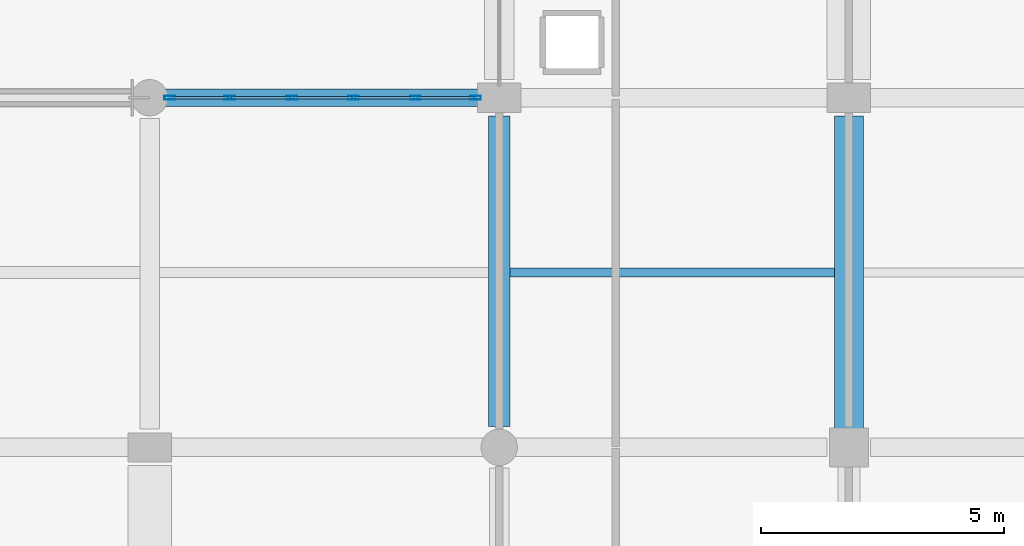
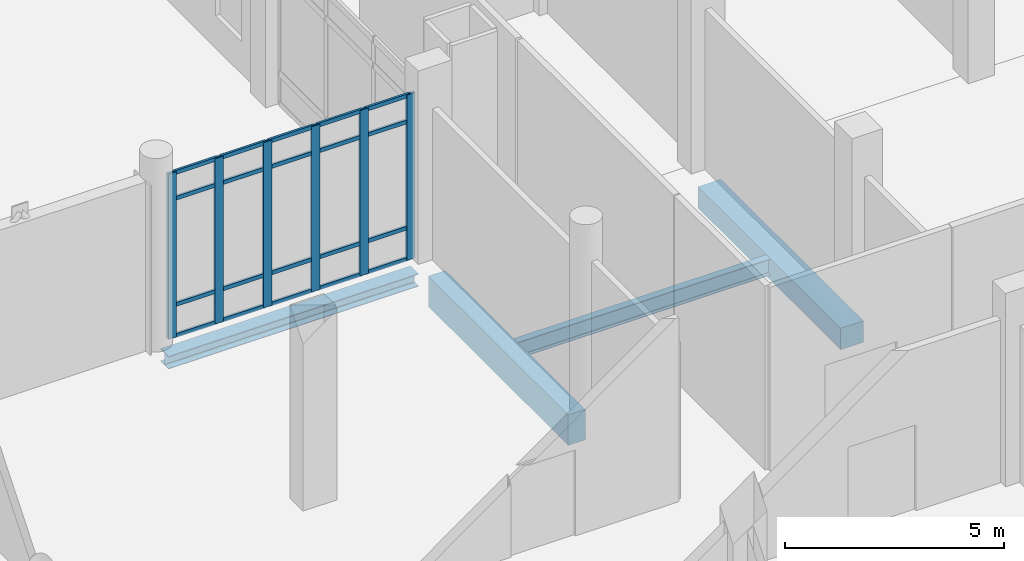
# One storey, part 132 of 229: 26 members, 4 beams, 1 element without a shape of its own.
"""IFC4 building model written with IfcOpenShell, lengths in metres."""

from ifc_helpers import new_model, si_unit, direction, frame, origin, origin_2d, place, context, subcontext, project, spatial, rectangle, hollow_rectangle, i_section, extrude, material, layer, layer_set, material_profile, profile_set, type_object, element, aggregate, save


model = new_model("IFC4")

# Units and contexts
model_context = context("Model", 3, precision=1e-05, world=origin(), true_north=direction((0.0, 1.0)))
body_context = subcontext(model_context, "Body", "Model", "MODEL_VIEW")
ifc_project = project(units=[si_unit("LENGTHUNIT", "METRE"), si_unit("AREAUNIT", "SQUARE_METRE"), si_unit("VOLUMEUNIT", "CUBIC_METRE"), si_unit("PLANEANGLEUNIT", "RADIAN"), si_unit("MASSUNIT", "GRAM", prefix="KILO")], contexts=[model_context])

# Site, building, storey
site_placement = place(None, origin())
site = spatial("IfcSite", under=ifc_project, at=site_placement, CompositionType="ELEMENT")
building_placement = place(site_placement, origin())
building = spatial("IfcBuilding", under=site, at=building_placement, Name="Calvrana Isthmian Art Gallery", CompositionType="ELEMENT")
storey_placement = place(building_placement, origin())
storey = spatial("IfcBuildingStorey", under=building, at=storey_placement, Name="L00", CompositionType="ELEMENT", Elevation=0.0)

# Beams
ifc_material_1 = material(Name="Steel ASTM A992 Gr 50", Category="steel")
ifc_material_profile_1 = material_profile(ifc_material_1, i_section(OverallWidth=0.19091796875, OverallDepth=0.45703125, WebThickness=0.009033203125, FlangeThickness=0.014404296875, FilletRadius=0.02001953125, at=origin_2d()), Name="W18X50")
ifc_profile_set_1 = profile_set([ifc_material_profile_1], Name="Steel ASTM A992 Gr 50")
beam_type_1 = type_object("IfcBeamType", Name="BM-J-W18X50", PredefinedType="JOIST", material=ifc_profile_set_1)
beam_1_placement = place(storey_placement, frame((134.625, 94.800048828125, -0.58349609375), z_axis=(1.0, 0.0, 0.0), x_axis=(0.0, 1.0, 0.0)))
element("IfcBeam", 1, at=beam_1_placement, inside=storey, type_object=beam_type_1, Name="Composite joist L00 bay 17-12", PredefinedType="JOIST", context=body_context, shape_type="SweptSolid", body=[
    extrude(i_section(OverallWidth=0.19091796875, OverallDepth=0.45703125, WebThickness=0.009033203125, FlangeThickness=0.014404296875, FilletRadius=0.02001953125, at=origin_2d()), origin(), (0.0, 0.0, 1.0), 6.675048828125),
])
ifc_material_2 = material(Name="Concrete C40/50", Category="concrete")
ifc_material_profile_2 = material_profile(ifc_material_2, rectangle(XDim=0.449951171875, YDim=0.85009765625, at=origin_2d()), Name="RC450X850")
ifc_profile_set_2 = profile_set([ifc_material_profile_2], Name="Concrete C40/50")
beam_type_2 = type_object("IfcBeamType", Name="BM-RC-450X850", PredefinedType="BEAM", material=ifc_profile_set_2)
beam_2_placement = place(storey_placement, frame((134.39990234375, 91.625, -0.780029296875), z_axis=(0.0, 1.0, 0.0), x_axis=(-1.0, 0.0, 0.0)))
element("IfcBeam", 2, at=beam_2_placement, inside=storey, type_object=beam_type_2, Name="Girder Y L00 18/M-N", PredefinedType="BEAM", context=body_context, shape_type="SweptSolid", body=[
    extrude(rectangle(XDim=0.449951171875, YDim=0.85009765625, at=origin_2d()), origin(), (0.0, 0.0, 1.0), 6.39990234375),
])
ifc_material_profile_3 = material_profile(ifc_material_2, rectangle(XDim=0.60009765625, YDim=0.60009765625, at=origin_2d()), Name="RC600X600")
ifc_profile_set_3 = profile_set([ifc_material_profile_3], Name="Concrete C40/50")
beam_type_3 = type_object("IfcBeamType", Name="BM-RC-600X600", PredefinedType="BEAM", material=ifc_profile_set_3)
beam_3_placement = place(storey_placement, frame((141.60009765625, 91.5, -0.655029296875), z_axis=(0.0, 1.0, 0.0), x_axis=(-1.0, 0.0, 0.0)))
element("IfcBeam", 3, at=beam_3_placement, inside=storey, type_object=beam_type_3, Name="Girder Y L00 19/M-N", PredefinedType="BEAM", context=body_context, shape_type="SweptSolid", body=[
    extrude(rectangle(XDim=0.60009765625, YDim=0.60009765625, at=origin_2d()), origin(), (0.0, 0.0, 1.0), 6.52490234375),
])
ifc_material_profile_4 = material_profile(ifc_material_1, i_section(OverallWidth=0.367919921875, OverallDepth=0.35595703125, WebThickness=0.01123046875, FlangeThickness=0.01806640625, FilletRadius=0.02490234375, at=origin_2d()), Name="W14X90")
ifc_profile_set_4 = profile_set([ifc_material_profile_4], Name="Steel ASTM A992 Gr 50")
beam_type_4 = type_object("IfcBeamType", Name="BM-SP-W14X90", PredefinedType="SPANDREL", material=ifc_profile_set_4)
beam_4_placement = place(storey_placement, frame((127.425048828125, 98.39990234375, -0.532958984375), z_axis=(1.0, 0.0, 0.0), x_axis=(0.0, 1.0, 0.0)))
element("IfcBeam", 4, at=beam_4_placement, inside=storey, type_object=beam_type_4, Name="Girder X L00 17-18/N", PredefinedType="SPANDREL", context=body_context, shape_type="SweptSolid", body=[
    extrude(i_section(OverallWidth=0.367919921875, OverallDepth=0.35595703125, WebThickness=0.01123046875, FlangeThickness=0.01806640625, FilletRadius=0.02490234375, at=origin_2d()), origin(), (0.0, 0.0, 1.0), 6.599853515625),
])

# Curtain wall, members
ifc_material_3 = material(Name="Anodized bronze aluminium 6063-T6", Category="aluminium")
ifc_layer = layer(ifc_material_3, 0.179931640625, Name="Anodized bronze aluminium 6063-T6")
ifc_layer_set = layer_set([ifc_layer], Name="Anodized bronze aluminium 6063-T6")
curtain_wall_type = type_object("IfcCurtainWallType", Name="CW-UNIT-064X46", PredefinedType="USERDEFINED", material=ifc_layer_set)
curtain_wall_placement = place(storey_placement, origin())
curtain_wall = element("IfcCurtainWall", 5, at=curtain_wall_placement, inside=storey, type_object=curtain_wall_type, Name="Curtain wall CW-040", ObjectType="UNITISED CURTAIN WALL", PredefinedType="USERDEFINED")
ifc_material_profile_5 = material_profile(ifc_material_3, hollow_rectangle(XDim=0.074951171875, YDim=0.219970703125, WallThickness=0.0048828125, at=origin_2d()), Name="CWM75X220")
ifc_profile_set_5 = profile_set([ifc_material_profile_5], Name="Anodized bronze aluminium 6063-T6")
member_type_1 = type_object("IfcMemberType", Name="CWM-CWM75X220", PredefinedType="MULLION", material=ifc_profile_set_5)
member_1_placement = place(storey_placement, frame((127.612548828125, 98.39990234375, 0.0), z_axis=(0.0, 0.0, 1.0), x_axis=(0.0, 1.0, 0.0)))
member_1 = element("IfcMember", 6, at=member_1_placement, type_object=member_type_1, Name="CW-040 mullion 1", PredefinedType="MULLION", context=body_context, shape_type="SweptSolid", body=[
    extrude(hollow_rectangle(XDim=0.074951171875, YDim=0.219970703125, WallThickness=0.0048828125, at=origin_2d()), origin(), (0.0, 0.0, 1.0), 4.617919921875),
])
member_2_placement = place(storey_placement, frame((128.85009765625, 98.39990234375, 0.0), z_axis=(0.0, 0.0, 1.0), x_axis=(0.0, 1.0, 0.0)))
member_2 = element("IfcMember", 7, at=member_2_placement, type_object=member_type_1, Name="CW-040 mullion 2", PredefinedType="MULLION", context=body_context, shape_type="SweptSolid", body=[
    extrude(hollow_rectangle(XDim=0.074951171875, YDim=0.219970703125, WallThickness=0.0048828125, at=origin_2d()), origin(), (0.0, 0.0, 1.0), 4.617919921875),
])
member_3_placement = place(storey_placement, frame((130.125, 98.39990234375, 0.0), z_axis=(0.0, 0.0, 1.0), x_axis=(0.0, 1.0, 0.0)))
member_3 = element("IfcMember", 8, at=member_3_placement, type_object=member_type_1, Name="CW-040 mullion 3", PredefinedType="MULLION", context=body_context, shape_type="SweptSolid", body=[
    extrude(hollow_rectangle(XDim=0.074951171875, YDim=0.219970703125, WallThickness=0.0048828125, at=origin_2d()), origin(), (0.0, 0.0, 1.0), 4.617919921875),
])
member_4_placement = place(storey_placement, frame((131.39990234375, 98.39990234375, 0.0), z_axis=(0.0, 0.0, 1.0), x_axis=(0.0, 1.0, 0.0)))
member_4 = element("IfcMember", 9, at=member_4_placement, type_object=member_type_1, Name="CW-040 mullion 4", PredefinedType="MULLION", context=body_context, shape_type="SweptSolid", body=[
    extrude(hollow_rectangle(XDim=0.074951171875, YDim=0.219970703125, WallThickness=0.0048828125, at=origin_2d()), origin(), (0.0, 0.0, 1.0), 4.617919921875),
])
member_5_placement = place(storey_placement, frame((132.675048828125, 98.39990234375, 0.0), z_axis=(0.0, 0.0, 1.0), x_axis=(0.0, 1.0, 0.0)))
member_5 = element("IfcMember", 10, at=member_5_placement, type_object=member_type_1, Name="CW-040 mullion 5", PredefinedType="MULLION", context=body_context, shape_type="SweptSolid", body=[
    extrude(hollow_rectangle(XDim=0.074951171875, YDim=0.219970703125, WallThickness=0.0048828125, at=origin_2d()), origin(), (0.0, 0.0, 1.0), 4.617919921875),
])
member_6_placement = place(storey_placement, frame((133.91259765625, 98.39990234375, 0.0), z_axis=(0.0, 0.0, 1.0), x_axis=(0.0, 1.0, 0.0)))
member_6 = element("IfcMember", 11, at=member_6_placement, type_object=member_type_1, Name="CW-040 mullion 6", PredefinedType="MULLION", context=body_context, shape_type="SweptSolid", body=[
    extrude(hollow_rectangle(XDim=0.074951171875, YDim=0.219970703125, WallThickness=0.0048828125, at=origin_2d()), origin(), (0.0, 0.0, 1.0), 4.617919921875),
])
ifc_material_profile_6 = material_profile(ifc_material_3, hollow_rectangle(XDim=0.06005859375, YDim=0.110107421875, WallThickness=0.00341796875, at=origin_2d()), Name="CWT60X110")
ifc_profile_set_6 = profile_set([ifc_material_profile_6], Name="Anodized bronze aluminium 6063-T6")
member_type_2 = type_object("IfcMemberType", Name="CWT-CWT60X110", PredefinedType="USERDEFINED", material=ifc_profile_set_6)
member_7_placement = place(storey_placement, frame((127.64990234375, 98.39990234375, 0.030029296875), z_axis=(1.0, 0.0, 0.0), x_axis=(0.0, 1.0, 0.0)))
member_7 = element("IfcMember", 12, at=member_7_placement, type_object=member_type_2, Name="CW-040 transom 1.1", ObjectType="TRANSOM", PredefinedType="USERDEFINED", context=body_context, shape_type="SweptSolid", body=[
    extrude(hollow_rectangle(XDim=0.06005859375, YDim=0.110107421875, WallThickness=0.00341796875, at=origin_2d()), origin(), (0.0, 0.0, 1.0), 1.16259765625),
])
member_8_placement = place(storey_placement, frame((127.64990234375, 98.39990234375, 0.89990234375), z_axis=(1.0, 0.0, 0.0), x_axis=(0.0, 1.0, 0.0)))
member_8 = element("IfcMember", 13, at=member_8_placement, type_object=member_type_2, Name="CW-040 transom 1.2", ObjectType="TRANSOM", PredefinedType="USERDEFINED", context=body_context, shape_type="SweptSolid", body=[
    extrude(hollow_rectangle(XDim=0.06005859375, YDim=0.110107421875, WallThickness=0.00341796875, at=origin_2d()), origin(), (0.0, 0.0, 1.0), 1.16259765625),
])
member_9_placement = place(storey_placement, frame((127.64990234375, 98.39990234375, 3.867919921875), z_axis=(1.0, 0.0, 0.0), x_axis=(0.0, 1.0, 0.0)))
member_9 = element("IfcMember", 14, at=member_9_placement, type_object=member_type_2, Name="CW-040 transom 1.3", ObjectType="TRANSOM", PredefinedType="USERDEFINED", context=body_context, shape_type="SweptSolid", body=[
    extrude(hollow_rectangle(XDim=0.06005859375, YDim=0.110107421875, WallThickness=0.00341796875, at=origin_2d()), origin(), (0.0, 0.0, 1.0), 1.16259765625),
])
member_10_placement = place(storey_placement, frame((127.64990234375, 98.39990234375, 4.587890625), z_axis=(1.0, 0.0, 0.0), x_axis=(0.0, 1.0, 0.0)))
member_10 = element("IfcMember", 15, at=member_10_placement, type_object=member_type_2, Name="CW-040 transom 1.4", ObjectType="TRANSOM", PredefinedType="USERDEFINED", context=body_context, shape_type="SweptSolid", body=[
    extrude(hollow_rectangle(XDim=0.06005859375, YDim=0.110107421875, WallThickness=0.00341796875, at=origin_2d()), origin(), (0.0, 0.0, 1.0), 1.16259765625),
])
member_11_placement = place(storey_placement, frame((128.887451171875, 98.39990234375, 0.030029296875), z_axis=(1.0, 0.0, 0.0), x_axis=(0.0, 1.0, 0.0)))
member_11 = element("IfcMember", 16, at=member_11_placement, type_object=member_type_2, Name="CW-040 transom 2.1", ObjectType="TRANSOM", PredefinedType="USERDEFINED", context=body_context, shape_type="SweptSolid", body=[
    extrude(hollow_rectangle(XDim=0.06005859375, YDim=0.110107421875, WallThickness=0.00341796875, at=origin_2d()), origin(), (0.0, 0.0, 1.0), 1.199951171875),
])
member_12_placement = place(storey_placement, frame((128.887451171875, 98.39990234375, 0.89990234375), z_axis=(1.0, 0.0, 0.0), x_axis=(0.0, 1.0, 0.0)))
member_12 = element("IfcMember", 17, at=member_12_placement, type_object=member_type_2, Name="CW-040 transom 2.2", ObjectType="TRANSOM", PredefinedType="USERDEFINED", context=body_context, shape_type="SweptSolid", body=[
    extrude(hollow_rectangle(XDim=0.06005859375, YDim=0.110107421875, WallThickness=0.00341796875, at=origin_2d()), origin(), (0.0, 0.0, 1.0), 1.199951171875),
])
member_13_placement = place(storey_placement, frame((128.887451171875, 98.39990234375, 3.867919921875), z_axis=(1.0, 0.0, 0.0), x_axis=(0.0, 1.0, 0.0)))
member_13 = element("IfcMember", 18, at=member_13_placement, type_object=member_type_2, Name="CW-040 transom 2.3", ObjectType="TRANSOM", PredefinedType="USERDEFINED", context=body_context, shape_type="SweptSolid", body=[
    extrude(hollow_rectangle(XDim=0.06005859375, YDim=0.110107421875, WallThickness=0.00341796875, at=origin_2d()), origin(), (0.0, 0.0, 1.0), 1.199951171875),
])
member_14_placement = place(storey_placement, frame((128.887451171875, 98.39990234375, 4.587890625), z_axis=(1.0, 0.0, 0.0), x_axis=(0.0, 1.0, 0.0)))
member_14 = element("IfcMember", 19, at=member_14_placement, type_object=member_type_2, Name="CW-040 transom 2.4", ObjectType="TRANSOM", PredefinedType="USERDEFINED", context=body_context, shape_type="SweptSolid", body=[
    extrude(hollow_rectangle(XDim=0.06005859375, YDim=0.110107421875, WallThickness=0.00341796875, at=origin_2d()), origin(), (0.0, 0.0, 1.0), 1.199951171875),
])
member_15_placement = place(storey_placement, frame((130.16259765625, 98.39990234375, 0.030029296875), z_axis=(1.0, 0.0, 0.0), x_axis=(0.0, 1.0, 0.0)))
member_15 = element("IfcMember", 20, at=member_15_placement, type_object=member_type_2, Name="CW-040 transom 3.1", ObjectType="TRANSOM", PredefinedType="USERDEFINED", context=body_context, shape_type="SweptSolid", body=[
    extrude(hollow_rectangle(XDim=0.06005859375, YDim=0.110107421875, WallThickness=0.00341796875, at=origin_2d()), origin(), (0.0, 0.0, 1.0), 1.199951171875),
])
member_16_placement = place(storey_placement, frame((130.16259765625, 98.39990234375, 0.89990234375), z_axis=(1.0, 0.0, 0.0), x_axis=(0.0, 1.0, 0.0)))
member_16 = element("IfcMember", 21, at=member_16_placement, type_object=member_type_2, Name="CW-040 transom 3.2", ObjectType="TRANSOM", PredefinedType="USERDEFINED", context=body_context, shape_type="SweptSolid", body=[
    extrude(hollow_rectangle(XDim=0.06005859375, YDim=0.110107421875, WallThickness=0.00341796875, at=origin_2d()), origin(), (0.0, 0.0, 1.0), 1.199951171875),
])
member_17_placement = place(storey_placement, frame((130.16259765625, 98.39990234375, 3.867919921875), z_axis=(1.0, 0.0, 0.0), x_axis=(0.0, 1.0, 0.0)))
member_17 = element("IfcMember", 22, at=member_17_placement, type_object=member_type_2, Name="CW-040 transom 3.3", ObjectType="TRANSOM", PredefinedType="USERDEFINED", context=body_context, shape_type="SweptSolid", body=[
    extrude(hollow_rectangle(XDim=0.06005859375, YDim=0.110107421875, WallThickness=0.00341796875, at=origin_2d()), origin(), (0.0, 0.0, 1.0), 1.199951171875),
])
member_18_placement = place(storey_placement, frame((130.16259765625, 98.39990234375, 4.587890625), z_axis=(1.0, 0.0, 0.0), x_axis=(0.0, 1.0, 0.0)))
member_18 = element("IfcMember", 23, at=member_18_placement, type_object=member_type_2, Name="CW-040 transom 3.4", ObjectType="TRANSOM", PredefinedType="USERDEFINED", context=body_context, shape_type="SweptSolid", body=[
    extrude(hollow_rectangle(XDim=0.06005859375, YDim=0.110107421875, WallThickness=0.00341796875, at=origin_2d()), origin(), (0.0, 0.0, 1.0), 1.199951171875),
])
member_19_placement = place(storey_placement, frame((131.4375, 98.39990234375, 0.030029296875), z_axis=(1.0, 0.0, 0.0), x_axis=(0.0, 1.0, 0.0)))
member_19 = element("IfcMember", 24, at=member_19_placement, type_object=member_type_2, Name="CW-040 transom 4.1", ObjectType="TRANSOM", PredefinedType="USERDEFINED", context=body_context, shape_type="SweptSolid", body=[
    extrude(hollow_rectangle(XDim=0.06005859375, YDim=0.110107421875, WallThickness=0.00341796875, at=origin_2d()), origin(), (0.0, 0.0, 1.0), 1.199951171875),
])
member_20_placement = place(storey_placement, frame((131.4375, 98.39990234375, 0.89990234375), z_axis=(1.0, 0.0, 0.0), x_axis=(0.0, 1.0, 0.0)))
member_20 = element("IfcMember", 25, at=member_20_placement, type_object=member_type_2, Name="CW-040 transom 4.2", ObjectType="TRANSOM", PredefinedType="USERDEFINED", context=body_context, shape_type="SweptSolid", body=[
    extrude(hollow_rectangle(XDim=0.06005859375, YDim=0.110107421875, WallThickness=0.00341796875, at=origin_2d()), origin(), (0.0, 0.0, 1.0), 1.199951171875),
])
member_21_placement = place(storey_placement, frame((131.4375, 98.39990234375, 3.867919921875), z_axis=(1.0, 0.0, 0.0), x_axis=(0.0, 1.0, 0.0)))
member_21 = element("IfcMember", 26, at=member_21_placement, type_object=member_type_2, Name="CW-040 transom 4.3", ObjectType="TRANSOM", PredefinedType="USERDEFINED", context=body_context, shape_type="SweptSolid", body=[
    extrude(hollow_rectangle(XDim=0.06005859375, YDim=0.110107421875, WallThickness=0.00341796875, at=origin_2d()), origin(), (0.0, 0.0, 1.0), 1.199951171875),
])
member_22_placement = place(storey_placement, frame((131.4375, 98.39990234375, 4.587890625), z_axis=(1.0, 0.0, 0.0), x_axis=(0.0, 1.0, 0.0)))
member_22 = element("IfcMember", 27, at=member_22_placement, type_object=member_type_2, Name="CW-040 transom 4.4", ObjectType="TRANSOM", PredefinedType="USERDEFINED", context=body_context, shape_type="SweptSolid", body=[
    extrude(hollow_rectangle(XDim=0.06005859375, YDim=0.110107421875, WallThickness=0.00341796875, at=origin_2d()), origin(), (0.0, 0.0, 1.0), 1.199951171875),
])
member_23_placement = place(storey_placement, frame((132.71240234375, 98.39990234375, 0.030029296875), z_axis=(1.0, 0.0, 0.0), x_axis=(0.0, 1.0, 0.0)))
member_23 = element("IfcMember", 28, at=member_23_placement, type_object=member_type_2, Name="CW-040 transom 5.1", ObjectType="TRANSOM", PredefinedType="USERDEFINED", context=body_context, shape_type="SweptSolid", body=[
    extrude(hollow_rectangle(XDim=0.06005859375, YDim=0.110107421875, WallThickness=0.00341796875, at=origin_2d()), origin(), (0.0, 0.0, 1.0), 1.16259765625),
])
member_24_placement = place(storey_placement, frame((132.71240234375, 98.39990234375, 0.89990234375), z_axis=(1.0, 0.0, 0.0), x_axis=(0.0, 1.0, 0.0)))
member_24 = element("IfcMember", 29, at=member_24_placement, type_object=member_type_2, Name="CW-040 transom 5.2", ObjectType="TRANSOM", PredefinedType="USERDEFINED", context=body_context, shape_type="SweptSolid", body=[
    extrude(hollow_rectangle(XDim=0.06005859375, YDim=0.110107421875, WallThickness=0.00341796875, at=origin_2d()), origin(), (0.0, 0.0, 1.0), 1.16259765625),
])
member_25_placement = place(storey_placement, frame((132.71240234375, 98.39990234375, 3.867919921875), z_axis=(1.0, 0.0, 0.0), x_axis=(0.0, 1.0, 0.0)))
member_25 = element("IfcMember", 30, at=member_25_placement, type_object=member_type_2, Name="CW-040 transom 5.3", ObjectType="TRANSOM", PredefinedType="USERDEFINED", context=body_context, shape_type="SweptSolid", body=[
    extrude(hollow_rectangle(XDim=0.06005859375, YDim=0.110107421875, WallThickness=0.00341796875, at=origin_2d()), origin(), (0.0, 0.0, 1.0), 1.16259765625),
])
member_26_placement = place(storey_placement, frame((132.71240234375, 98.39990234375, 4.587890625), z_axis=(1.0, 0.0, 0.0), x_axis=(0.0, 1.0, 0.0)))
member_26 = element("IfcMember", 31, at=member_26_placement, type_object=member_type_2, Name="CW-040 transom 5.4", ObjectType="TRANSOM", PredefinedType="USERDEFINED", context=body_context, shape_type="SweptSolid", body=[
    extrude(hollow_rectangle(XDim=0.06005859375, YDim=0.110107421875, WallThickness=0.00341796875, at=origin_2d()), origin(), (0.0, 0.0, 1.0), 1.16259765625),
])
aggregate(curtain_wall, [member_1, member_2, member_3, member_4, member_5, member_6, member_7, member_8, member_9, member_10, member_11, member_12, member_13, member_14, member_15, member_16, member_17, member_18, member_19, member_20, member_21, member_22, member_23, member_24, member_25, member_26])

save(model, "model.ifc")
